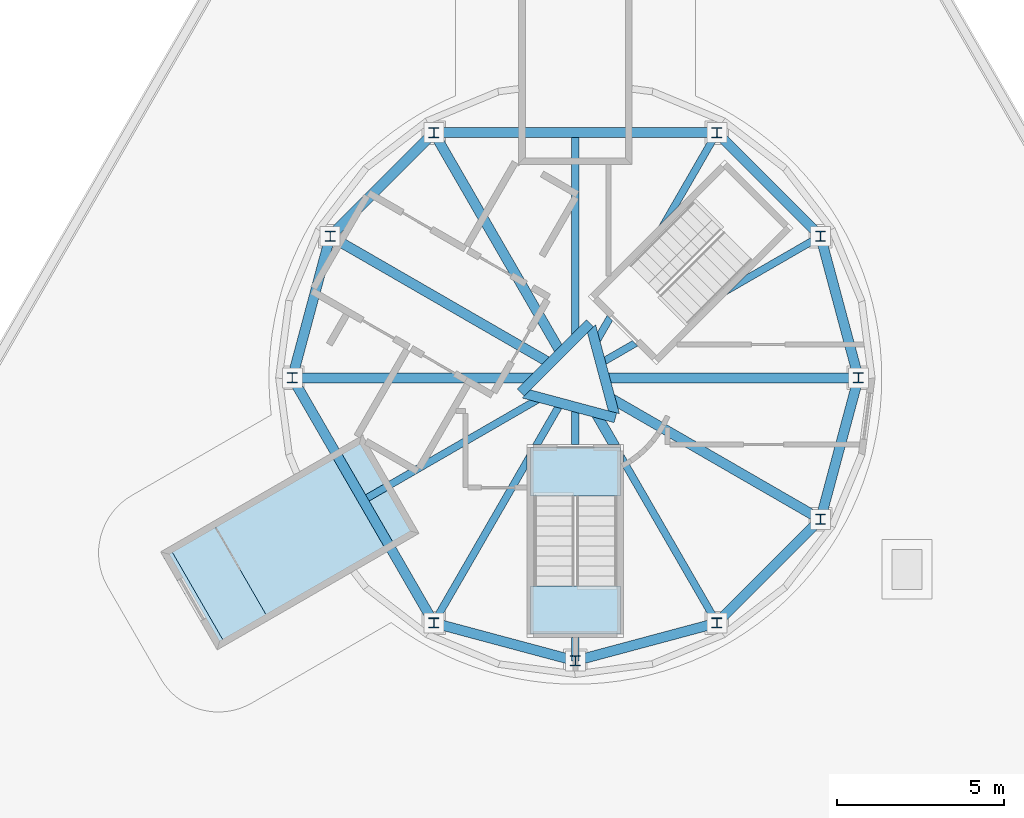
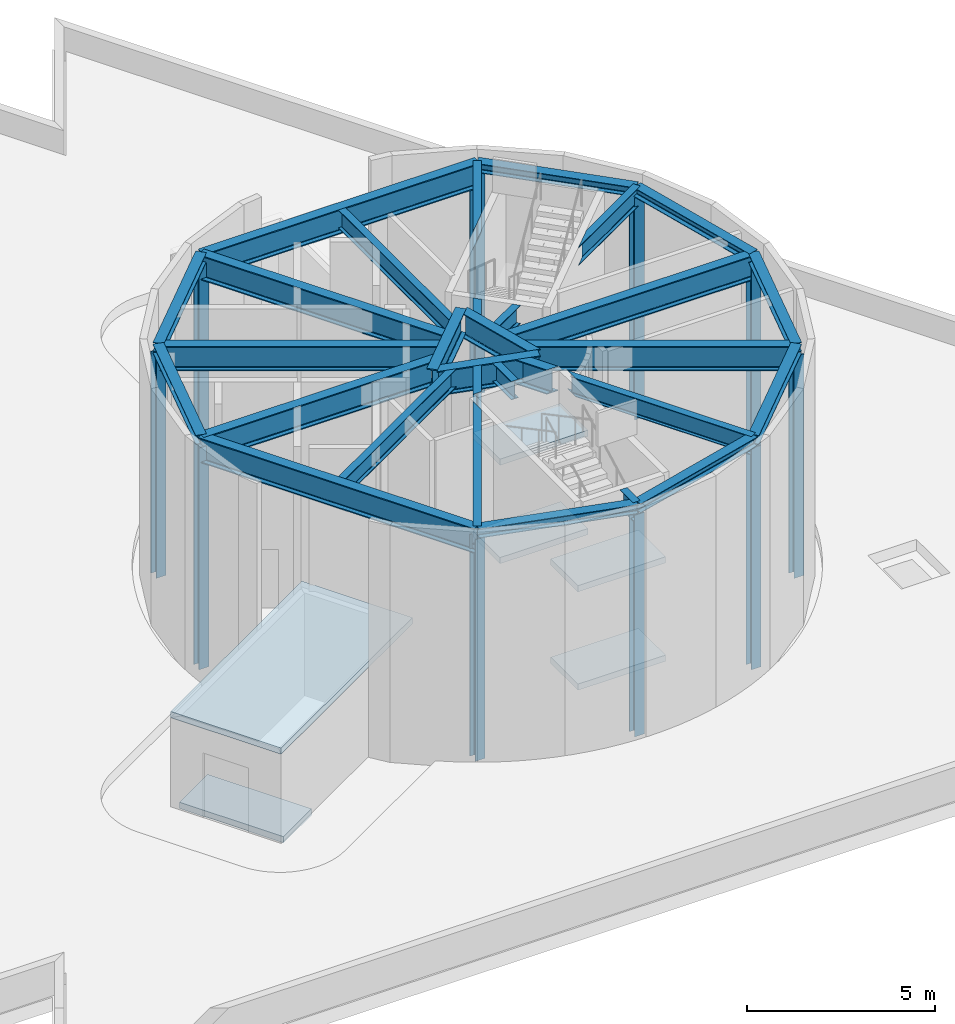
# One storey, part 1 of 7: 30 beams, 10 columns, 6 slabs, 1 element without a shape of its own.
"""IFC4 building model written with IfcOpenShell, lengths in metres."""

from ifc_helpers import new_model, si_unit, direction, frame, origin, origin_2d, place, context, subcontext, project, spatial, polyline, i_section, outline, extrude, clip, halfspace, material, layer, layer_set, material_profile, profile_set, type_object, element, aggregate, save


model = new_model("IFC4")

# Units and contexts
model_context = context("Model", 3, precision=1e-05, world=origin(), true_north=direction((0.0, 1.0)))
body_context = subcontext(model_context, "Body", "Model", "MODEL_VIEW")
ifc_project = project(units=[si_unit("LENGTHUNIT", "METRE"), si_unit("AREAUNIT", "SQUARE_METRE"), si_unit("VOLUMEUNIT", "CUBIC_METRE"), si_unit("PLANEANGLEUNIT", "RADIAN"), si_unit("MASSUNIT", "GRAM", prefix="KILO")], contexts=[model_context])

# Site, building, storey
site_placement = place(None, origin())
site = spatial("IfcSite", under=ifc_project, at=site_placement, CompositionType="ELEMENT")
building_placement = place(site_placement, origin())
building = spatial("IfcBuilding", under=site, at=building_placement, Name="Triada Interchange Tower", CompositionType="ELEMENT")
storey_placement = place(building_placement, frame((0.0, 0.0, 327.800048828125)))
storey = spatial("IfcBuildingStorey", under=building, at=storey_placement, Name="Roof", CompositionType="ELEMENT", Elevation=327.800048828125)

# Columns
ifc_material_1 = material(Name="Steel S355", Category="steel")
ifc_material_profile_1 = material_profile(ifc_material_1, i_section(OverallWidth=0.300048828125, OverallDepth=0.300048828125, WebThickness=0.010986328125, FlangeThickness=0.01904296875, FilletRadius=0.027099609375, at=origin_2d()), Name="HEB 300")
ifc_profile_set_1 = profile_set([ifc_material_profile_1], Name="Steel S355")
column_type = type_object("IfcColumnType", Name="Crown frame column HEB 300", PredefinedType="COLUMN", material=ifc_profile_set_1)
for number, where, z_axis, x_axis, name in (
    (1, (8.5, 0.0, 0.0400390625), (0.0, 0.0, 1.0), (1.0, 0.0, 0.0), "Crown frame column 01"),
    (2, (7.361083984375, 4.25, 0.0400390625), (0.0, 0.0, 1.0), (1.0, 0.0, 0.0), "Crown frame column 02"),
    (3, (4.25, 7.361083984375, 0.0400390625), (0.0, 0.0, 1.0), (1.0, 0.0, 0.0), "Crown frame column 03"),
    (4, (-4.25, 7.361083984375, 0.0400390625), (0.0, 0.0, 1.0), (1.0, 0.0, 0.0), "Crown frame column 05"),
    (5, (-7.361083984375, 4.25, 0.0400390625), (0.0, 0.0, 1.0), (1.0, 0.0, 0.0), "Crown frame column 06"),
    (6, (-8.5, 0.0, 0.0400390625), (0.0, 0.0, 1.0), (1.0, 0.0, 0.0), "Crown frame column 07"),
    (7, (-4.25, -7.361083984375, 0.0400390625), (0.0, 0.0, 1.0), (1.0, 0.0, 0.0), "Crown frame column 09"),
    (8, (0.0, -8.5, 0.0400390625), (0.0, 0.0, 1.0), (1.0, 0.0, 0.0), "Crown frame column 10"),
    (9, (4.25, -7.361083984375, 0.0400390625), (0.0, 0.0, 1.0), (1.0, 0.0, 0.0), "Crown frame column 11"),
    (10, (7.361083984375, -4.25, 0.0400390625), (0.0, 0.0, 1.0), (1.0, 0.0, 0.0), "Crown frame column 12"),
):
    element("IfcColumn", number, at=place(storey_placement, frame(where, z_axis=z_axis, x_axis=x_axis)), inside=storey, type_object=column_type, Name=name, PredefinedType="COLUMN", context=body_context, shape_type="SweptSolid", body=[
        extrude(i_section(OverallWidth=0.300048828125, OverallDepth=0.300048828125, WebThickness=0.010986328125, FlangeThickness=0.01904296875, FilletRadius=0.027099609375, at=origin_2d()), origin(), (0.0, 0.0, 1.0), 7.2099609375),
    ])

# Beams
ifc_material_profile_2 = material_profile(ifc_material_1, i_section(OverallWidth=0.300048828125, OverallDepth=0.800048828125, WebThickness=0.017578125, FlangeThickness=0.032958984375, FilletRadius=0.030029296875, at=origin_2d()), Name="HEB 800")
ifc_profile_set_2 = profile_set([ifc_material_profile_2], Name="Steel S355")
beam_type_1 = type_object("IfcBeamType", Name="Crown deep ring beam HEB 800", PredefinedType="BEAM", material=ifc_profile_set_2)
for number, where, z_axis, x_axis, name in (
    (11, (4.25, 7.361083984375, 7.14990234375), (-1.0, 0.0, 0.0), (0.0, -1.0, 0.0), "Crown ring beam 03"),
    (12, (-8.5, 0.0, 7.14990234375), (0.500006721848, -0.866021522889, 0.0), (0.866021522889, 0.500006721848, 0.0), "Crown ring beam 07"),
):
    element("IfcBeam", number, at=place(storey_placement, frame(where, z_axis=z_axis, x_axis=x_axis)), inside=storey, type_object=beam_type_1, Name=name, PredefinedType="BEAM", context=body_context, shape_type="SweptSolid", body=[
        extrude(i_section(OverallWidth=0.300048828125, OverallDepth=0.800048828125, WebThickness=0.017578125, FlangeThickness=0.032958984375, FilletRadius=0.030029296875, at=origin_2d()), origin(), (0.0, 0.0, 1.0), 8.5),
    ])
beam_1_placement = place(storey_placement, frame((0.43994140625, 1.64208984375, 7.14990234375), z_axis=(-0.707106781187, -0.707106781187, 0.0), x_axis=(0.707106781187, -0.707106781187, 0.0)))
element("IfcBeam", 13, at=beam_1_placement, inside=storey, type_object=beam_type_1, Name="Crown hub ring beam 1", PredefinedType="BEAM", context=body_context, shape_type="SweptSolid", body=[
    extrude(i_section(OverallWidth=0.300048828125, OverallDepth=0.800048828125, WebThickness=0.017578125, FlangeThickness=0.032958984375, FilletRadius=0.030029296875, at=origin_2d()), origin(), (0.0, 0.0, 1.0), 2.9443359375),
])
beam_2_placement = place(storey_placement, frame((-2.924072265625, -0.096923828125, 7.14990234375), z_axis=(0.965959274591, -0.258694182059, 0.0), x_axis=(0.258694182059, 0.965959274591, 0.0)))
element("IfcBeam", 14, at=beam_2_placement, inside=storey, type_object=beam_type_1, Name="Crown hub ring beam 2", PredefinedType="BEAM", context=body_context, shape_type="Clipping", body=[
    clip(extrude(i_section(OverallWidth=0.300048828125, OverallDepth=0.800048828125, WebThickness=0.017578125, FlangeThickness=0.032958984375, FilletRadius=0.030029296875, at=origin_2d()), origin(), (0.0, 0.0, 1.0), 4.271484375), halfspace(frame((2.474853515625, -334.949951171875, 2.929443359375), z_axis=(0.500111943026, 0.0, -0.865960763801), x_axis=(0.0, -1.0, 0.0)), False)),
])
beam_3_placement = place(storey_placement, frame((1.544921875, -2.48388671875, 7.14990234375), z_axis=(-0.258642353504, 0.96597315334, 0.0), x_axis=(-0.96597315334, -0.258642353504, 0.0)))
element("IfcBeam", 15, at=beam_3_placement, inside=storey, type_object=beam_type_1, Name="Crown hub ring beam 3", PredefinedType="BEAM", context=body_context, shape_type="Clipping", body=[
    clip(clip(extrude(i_section(OverallWidth=0.300048828125, OverallDepth=0.800048828125, WebThickness=0.017578125, FlangeThickness=0.032958984375, FilletRadius=0.030029296875, at=origin_2d()), origin(), (0.0, 0.0, 1.0), 5.598388671875), halfspace(frame((2.474609375, -334.949951171875, 2.9287109375), z_axis=(0.499828080381, 0.0, -0.866124638873), x_axis=(0.0, -1.0, 0.0)), False)), halfspace(frame((-0.07470703125, -334.949951171875, 4.141357421875), z_axis=(0.500158405106, 0.0, 0.865933929236), x_axis=(0.0, -1.0, 0.0)), False)),
])
ifc_material_profile_3 = material_profile(ifc_material_1, i_section(OverallWidth=0.300048828125, OverallDepth=0.800048828125, WebThickness=0.017578125, FlangeThickness=0.032958984375, FilletRadius=0.030029296875, at=origin_2d()), Name="HEB 800")
ifc_profile_set_3 = profile_set([ifc_material_profile_3], Name="Steel S355")
beam_type_2 = type_object("IfcBeamType", Name="Crown long roof beam HEB 800", PredefinedType="BEAM", material=ifc_profile_set_3)
beam_4_placement = place(storey_placement, frame((8.5, 0.0, 7.14990234375), z_axis=(-1.0, 0.0, 0.0), x_axis=(0.0, -1.0, 0.0)))
element("IfcBeam", 16, at=beam_4_placement, inside=storey, type_object=beam_type_2, Name="Crown roof beam 1A", PredefinedType="BEAM", context=body_context, shape_type="Clipping", body=[
    clip(extrude(i_section(OverallWidth=0.300048828125, OverallDepth=0.800048828125, WebThickness=0.017578125, FlangeThickness=0.032958984375, FilletRadius=0.030029296875, at=origin_2d()), origin(), (0.0, 0.0, 1.0), 8.965087890625), halfspace(frame((-1.931884765625, -334.949951171875, 7.98193359375), z_axis=(0.258803991908, 0.0, 0.965929859655), x_axis=(0.0, -1.0, 0.0)), False)),
])
beam_5_placement = place(storey_placement, frame((0.0859375, 0.0, 7.14990234375), z_axis=(-1.0, 0.0, 0.0), x_axis=(0.0, -1.0, 0.0)))
element("IfcBeam", 17, at=beam_5_placement, inside=storey, type_object=beam_type_2, Name="Crown roof beam 1B", PredefinedType="BEAM", context=body_context, shape_type="Clipping", body=[
    clip(extrude(i_section(OverallWidth=0.300048828125, OverallDepth=0.800048828125, WebThickness=0.017578125, FlangeThickness=0.032958984375, FilletRadius=0.030029296875, at=origin_2d()), origin(), (0.0, 0.0, 1.0), 8.5859375), halfspace(frame((0.51806640625, -334.949951171875, 2.017822265625), z_axis=(0.707106781187, 0.0, -0.707106781187), x_axis=(0.0, -1.0, 0.0)), False)),
])
beam_6_placement = place(storey_placement, frame((-4.25, 7.361083984375, 7.14990234375), z_axis=(0.499940905005, -0.866059519608, 0.0), x_axis=(0.866059519608, 0.499940905005, 0.0)))
element("IfcBeam", 18, at=beam_6_placement, inside=storey, type_object=beam_type_2, Name="Crown roof beam 5A", PredefinedType="BEAM", context=body_context, shape_type="Clipping", body=[
    clip(extrude(i_section(OverallWidth=0.300048828125, OverallDepth=0.800048828125, WebThickness=0.017578125, FlangeThickness=0.032958984375, FilletRadius=0.030029296875, at=origin_2d()), origin(), (0.0, 0.0, 1.0), 8.96484375), halfspace(frame((-1.931396484375, -334.949951171875, 7.982666015625), z_axis=(0.258884955104, 0.0, 0.965908163347), x_axis=(0.0, -1.0, 0.0)), False)),
])
beam_7_placement = place(storey_placement, frame((-0.04296875, 0.073974609375, 7.14990234375), z_axis=(0.500109464173, -0.86596219539, 0.0), x_axis=(0.86596219539, 0.500109464173, 0.0)))
element("IfcBeam", 19, at=beam_7_placement, inside=storey, type_object=beam_type_2, Name="Crown roof beam 5B", PredefinedType="BEAM", context=body_context, shape_type="Clipping", body=[
    clip(clip(extrude(i_section(OverallWidth=0.300048828125, OverallDepth=0.800048828125, WebThickness=0.017578125, FlangeThickness=0.032958984375, FilletRadius=0.030029296875, at=origin_2d()), origin(), (0.0, 0.0, 1.0), 3.895263671875), halfspace(frame((0.517578125, -334.949951171875, 2.017333984375), z_axis=(0.707185137549, 0.0, -0.707028416141), x_axis=(0.0, -1.0, 0.0)), False)), halfspace(frame((0.255615234375, -334.949951171875, 2.542724609375), z_axis=(-0.500109464173, 0.0, 0.86596219539), x_axis=(0.0, 1.0, 0.0)), False)),
])
beam_8_placement = place(storey_placement, frame((-7.361083984375, 4.25, 7.14990234375), z_axis=(0.866059519608, -0.499940905005, 0.0), x_axis=(0.499940905005, 0.866059519608, 0.0)))
element("IfcBeam", 20, at=beam_8_placement, inside=storey, type_object=beam_type_2, Name="Crown roof beam 6A", PredefinedType="BEAM", context=body_context, shape_type="Clipping", body=[
    clip(extrude(i_section(OverallWidth=0.300048828125, OverallDepth=0.800048828125, WebThickness=0.017578125, FlangeThickness=0.032958984375, FilletRadius=0.030029296875, at=origin_2d()), origin(), (0.0, 0.0, 1.0), 8.96484375), halfspace(frame((-1.4150390625, -334.949951171875, 7.085693359375), z_axis=(-0.258884955104, 0.0, 0.965908163347), x_axis=(0.0, 1.0, 0.0)), False)),
])
beam_9_placement = place(storey_placement, frame((-0.073974609375, 0.04296875, 7.14990234375), z_axis=(0.866008473551, -0.500029322878, 0.0), x_axis=(0.500029322878, 0.866008473551, 0.0)))
element("IfcBeam", 21, at=beam_9_placement, inside=storey, type_object=beam_type_2, Name="Crown roof beam 6B", PredefinedType="BEAM", context=body_context, shape_type="Clipping", body=[
    clip(extrude(i_section(OverallWidth=0.300048828125, OverallDepth=0.800048828125, WebThickness=0.017578125, FlangeThickness=0.032958984375, FilletRadius=0.030029296875, at=origin_2d()), origin(), (0.0, 0.0, 1.0), 8.58544921875), halfspace(frame((1.931884765625, -334.949951171875, -0.431884765625), z_axis=(-0.707119703651, 0.0, -0.707093858485), x_axis=(0.0, 1.0, 0.0)), False)),
])
ifc_material_profile_4 = material_profile(ifc_material_1, i_section(OverallWidth=0.300048828125, OverallDepth=0.300048828125, WebThickness=0.010986328125, FlangeThickness=0.01904296875, FilletRadius=0.027099609375, at=origin_2d()), Name="HEB 300")
ifc_profile_set_4 = profile_set([ifc_material_profile_4], Name="Steel S355")
beam_type_3 = type_object("IfcBeamType", Name="Crown ring beam HEB 300", PredefinedType="BEAM", material=ifc_profile_set_4)
beam_10_placement = place(storey_placement, frame((8.5, 0.0, 7.39990234375), z_axis=(-0.258847024572, 0.965918328778, 0.0), x_axis=(-0.965918328778, -0.258847024572, 0.0)))
element("IfcBeam", 22, at=beam_10_placement, inside=storey, type_object=beam_type_3, Name="Crown ring beam 01", PredefinedType="BEAM", context=body_context, shape_type="SweptSolid", body=[
    extrude(i_section(OverallWidth=0.300048828125, OverallDepth=0.300048828125, WebThickness=0.010986328125, FlangeThickness=0.01904296875, FilletRadius=0.027099609375, at=origin_2d()), origin(), (0.0, 0.0, 1.0), 4.39990234375),
])
for number, where, z_axis, x_axis, name in (
    (23, (7.361083984375, 4.25, 7.39990234375), (-0.707106781187, 0.707106781187, 0.0), (-0.707106781187, -0.707106781187, 0.0), "Crown ring beam 02"),
    (24, (-4.25, 7.361083984375, 7.39990234375), (-0.707106781187, -0.707106781187, 0.0), (0.707106781187, -0.707106781187, 0.0), "Crown ring beam 05"),
):
    element("IfcBeam", number, at=place(storey_placement, frame(where, z_axis=z_axis, x_axis=x_axis)), inside=storey, type_object=beam_type_3, Name=name, PredefinedType="BEAM", context=body_context, shape_type="SweptSolid", body=[
        extrude(i_section(OverallWidth=0.300048828125, OverallDepth=0.300048828125, WebThickness=0.010986328125, FlangeThickness=0.01904296875, FilletRadius=0.027099609375, at=origin_2d()), origin(), (0.0, 0.0, 1.0), 4.399658203125),
    ])
for number, where, z_axis, x_axis, name in (
    (25, (-7.361083984375, 4.25, 7.39990234375), (-0.258847024572, -0.965918328778, 0.0), (0.965918328778, -0.258847024572, 0.0), "Crown ring beam 06"),
    (26, (-4.25, -7.361083984375, 7.39990234375), (0.965918328778, -0.258847024572, 0.0), (0.258847024572, 0.965918328778, 0.0), "Crown ring beam 09"),
    (27, (0.0, -8.5, 7.39990234375), (0.965918328778, 0.258847024572, 0.0), (-0.258847024572, 0.965918328778, 0.0), "Crown ring beam 10"),
):
    element("IfcBeam", number, at=place(storey_placement, frame(where, z_axis=z_axis, x_axis=x_axis)), inside=storey, type_object=beam_type_3, Name=name, PredefinedType="BEAM", context=body_context, shape_type="SweptSolid", body=[
        extrude(i_section(OverallWidth=0.300048828125, OverallDepth=0.300048828125, WebThickness=0.010986328125, FlangeThickness=0.01904296875, FilletRadius=0.027099609375, at=origin_2d()), origin(), (0.0, 0.0, 1.0), 4.39990234375),
    ])
beam_11_placement = place(storey_placement, frame((4.25, -7.361083984375, 7.39990234375), z_axis=(0.707106781187, 0.707106781187, 0.0), x_axis=(-0.707106781187, 0.707106781187, 0.0)))
element("IfcBeam", 28, at=beam_11_placement, inside=storey, type_object=beam_type_3, Name="Crown ring beam 11", PredefinedType="BEAM", context=body_context, shape_type="SweptSolid", body=[
    extrude(i_section(OverallWidth=0.300048828125, OverallDepth=0.300048828125, WebThickness=0.010986328125, FlangeThickness=0.01904296875, FilletRadius=0.027099609375, at=origin_2d()), origin(), (0.0, 0.0, 1.0), 4.399658203125),
])
beam_12_placement = place(storey_placement, frame((7.361083984375, -4.25, 7.39990234375), z_axis=(0.258847024572, 0.965918328778, 0.0), x_axis=(-0.965918328778, 0.258847024572, 0.0)))
element("IfcBeam", 29, at=beam_12_placement, inside=storey, type_object=beam_type_3, Name="Crown ring beam 12", PredefinedType="BEAM", context=body_context, shape_type="SweptSolid", body=[
    extrude(i_section(OverallWidth=0.300048828125, OverallDepth=0.300048828125, WebThickness=0.010986328125, FlangeThickness=0.01904296875, FilletRadius=0.027099609375, at=origin_2d()), origin(), (0.0, 0.0, 1.0), 4.39990234375),
])
ifc_material_profile_5 = material_profile(ifc_material_1, i_section(OverallWidth=0.219970703125, OverallDepth=0.60009765625, WebThickness=0.011962890625, FlangeThickness=0.01904296875, FilletRadius=0.02392578125, at=origin_2d()), Name="IPE 600")
ifc_profile_set_5 = profile_set([ifc_material_profile_5], Name="Steel S355")
beam_type_4 = type_object("IfcBeamType", Name="Crown roof beam IPE 600", PredefinedType="BEAM", material=ifc_profile_set_5)
beam_13_placement = place(storey_placement, frame((7.361083984375, 4.25, 7.25), z_axis=(-0.866030215664, -0.499991665488, 0.0), x_axis=(0.499991665488, -0.866030215664, 0.0)))
element("IfcBeam", 30, at=beam_13_placement, inside=storey, type_object=beam_type_4, Name="Crown roof beam 2A", PredefinedType="BEAM", context=body_context, shape_type="Clipping", body=[
    clip(extrude(i_section(OverallWidth=0.219970703125, OverallDepth=0.60009765625, WebThickness=0.011962890625, FlangeThickness=0.01904296875, FilletRadius=0.02392578125, at=origin_2d()), origin(), (0.0, 0.0, 1.0), 4.39599609375), halfspace(frame((0.88330078125, -335.050048828125, 6.1923828125), z_axis=(-0.965923335412, 0.0, 0.258828341005), x_axis=(0.0, 1.0, 0.0)), False)),
])
beam_14_placement = place(storey_placement, frame((3.093017578125, 1.784912109375, 7.25), z_axis=(-0.866034478908, -0.499984281096, 0.0), x_axis=(0.499984281096, -0.866034478908, 0.0)))
element("IfcBeam", 31, at=beam_14_placement, inside=storey, type_object=beam_type_4, Name="Crown roof beam 2B", PredefinedType="BEAM", context=body_context, shape_type="Clipping", body=[
    clip(clip(extrude(i_section(OverallWidth=0.219970703125, OverallDepth=0.60009765625, WebThickness=0.011962890625, FlangeThickness=0.01904296875, FilletRadius=0.02392578125, at=origin_2d()), origin(), (0.0, 0.0, 1.0), 4.035888671875), halfspace(frame((-1.919189453125, -335.050048828125, 2.014404296875), z_axis=(-0.258836577127, 0.0, -0.965921128427), x_axis=(0.0, 1.0, 0.0)), False)), halfspace(frame((-1.414794921875, -335.050048828125, 2.156494140625), z_axis=(-0.258816566198, 0.0, 0.965926490506), x_axis=(0.0, 1.0, 0.0)), False)),
])
beam_15_placement = place(storey_placement, frame((0.074951171875, 0.04296875, 7.25), z_axis=(-0.866023468716, -0.500003351622, 0.0), x_axis=(0.500003351622, -0.866023468716, 0.0)))
element("IfcBeam", 32, at=beam_15_placement, inside=storey, type_object=beam_type_4, Name="Crown roof beam 2C", PredefinedType="BEAM", context=body_context, shape_type="Clipping", body=[
    clip(extrude(i_section(OverallWidth=0.219970703125, OverallDepth=0.60009765625, WebThickness=0.011962890625, FlangeThickness=0.01904296875, FilletRadius=0.02392578125, at=origin_2d()), origin(), (0.0, 0.0, 1.0), 7.2978515625), halfspace(frame((1.931396484375, -335.050048828125, -0.43115234375), z_axis=(-0.707115064228, 0.0, -0.707098498048), x_axis=(0.0, 1.0, 0.0)), False)),
])
beam_16_placement = place(storey_placement, frame((4.25, 7.361083984375, 7.25), z_axis=(-0.499991665488, -0.866030215664, 0.0), x_axis=(0.866030215664, -0.499991665488, 0.0)))
element("IfcBeam", 33, at=beam_16_placement, inside=storey, type_object=beam_type_4, Name="Crown roof beam 3A", PredefinedType="BEAM", context=body_context, shape_type="Clipping", body=[
    clip(extrude(i_section(OverallWidth=0.219970703125, OverallDepth=0.60009765625, WebThickness=0.011962890625, FlangeThickness=0.01904296875, FilletRadius=0.02392578125, at=origin_2d()), origin(), (0.0, 0.0, 1.0), 4.39599609375), halfspace(frame((0.617919921875, -335.050048828125, 0.59033203125), z_axis=(0.965923335412, 0.0, 0.258828341005), x_axis=(0.0, -1.0, 0.0)), False)),
])
beam_17_placement = place(storey_placement, frame((1.785888671875, 3.093017578125, 7.25), z_axis=(-0.500080723117, -0.865978793255, 0.0), x_axis=(0.865978793255, -0.500080723117, 0.0)))
element("IfcBeam", 34, at=beam_17_placement, inside=storey, type_object=beam_type_4, Name="Crown roof beam 3B", PredefinedType="BEAM", context=body_context, shape_type="Clipping", body=[
    clip(clip(extrude(i_section(OverallWidth=0.219970703125, OverallDepth=0.60009765625, WebThickness=0.011962890625, FlangeThickness=0.01904296875, FilletRadius=0.02392578125, at=origin_2d()), origin(), (0.0, 0.0, 1.0), 3.6572265625), halfspace(frame((-0.883056640625, -335.050048828125, 1.26416015625), z_axis=(0.258729006618, 0.0, -0.965949947531), x_axis=(0.0, -1.0, 0.0)), False)), halfspace(frame((-0.517333984375, -335.050048828125, 1.6396484375), z_axis=(-0.707051886814, 0.0, 0.707161671298), x_axis=(0.0, 1.0, 0.0)), False)),
])
beam_18_placement = place(storey_placement, frame((0.23193359375, 0.402099609375, 7.25), z_axis=(-0.50001584866, -0.866016253363, 0.0), x_axis=(0.866016253363, -0.50001584866, 0.0)))
element("IfcBeam", 35, at=beam_18_placement, inside=storey, type_object=beam_type_4, Name="Crown roof beam 3C", PredefinedType="BEAM", context=body_context, shape_type="Clipping", body=[
    clip(clip(extrude(i_section(OverallWidth=0.219970703125, OverallDepth=0.60009765625, WebThickness=0.011962890625, FlangeThickness=0.01904296875, FilletRadius=0.02392578125, at=origin_2d()), origin(), (0.0, 0.0, 1.0), 4.273681640625), halfspace(frame((1.931884765625, -335.050048828125, 0.981689453125), z_axis=(-0.258851775094, 0.0, -0.96591705572), x_axis=(0.0, 1.0, 0.0)), False)), halfspace(frame((2.255859375, -335.050048828125, 1.47119140625), z_axis=(0.50001584866, 0.0, 0.866016253363), x_axis=(0.0, -1.0, 0.0)), False)),
])
beam_19_placement = place(storey_placement, frame((-0.699951171875, -1.2119140625, 7.25), z_axis=(-0.499981400667, -0.866036141848, 0.0), x_axis=(0.866036141848, -0.499981400667, 0.0)))
element("IfcBeam", 36, at=beam_19_placement, inside=storey, type_object=beam_type_4, Name="Crown roof beam 3D", PredefinedType="BEAM", context=body_context, shape_type="Clipping", body=[
    clip(extrude(i_section(OverallWidth=0.219970703125, OverallDepth=0.60009765625, WebThickness=0.011962890625, FlangeThickness=0.01904296875, FilletRadius=0.02392578125, at=origin_2d()), origin(), (0.0, 0.0, 1.0), 7.100341796875), halfspace(frame((-0.255615234375, -335.050048828125, 1.0576171875), z_axis=(0.866036141848, 0.0, -0.499981400667), x_axis=(0.0, -1.0, 0.0)), False)),
])
beam_20_placement = place(storey_placement, frame((0.0, 7.2109375, 7.25), z_axis=(0.0, -1.0, 0.0), x_axis=(1.0, 0.0, 0.0)))
element("IfcBeam", 37, at=beam_20_placement, inside=storey, type_object=beam_type_4, Name="Crown roof beam 4A", PredefinedType="BEAM", context=body_context, shape_type="Clipping", body=[
    clip(extrude(i_section(OverallWidth=0.219970703125, OverallDepth=0.60009765625, WebThickness=0.011962890625, FlangeThickness=0.01904296875, FilletRadius=0.02392578125, at=origin_2d()), origin(), (0.0, 0.0, 1.0), 7.296875), halfspace(frame((-1.931884765625, -335.050048828125, 7.72900390625), z_axis=(0.707106781187, 0.0, 0.707106781187), x_axis=(0.0, -1.0, 0.0)), False)),
])
beam_21_placement = place(storey_placement, frame((0.0, 0.465087890625, 7.25), z_axis=(0.0, -1.0, 0.0), x_axis=(1.0, 0.0, 0.0)))
element("IfcBeam", 38, at=beam_21_placement, inside=storey, type_object=beam_type_4, Name="Crown roof beam 4B", PredefinedType="BEAM", context=body_context, shape_type="Clipping", body=[
    clip(clip(extrude(i_section(OverallWidth=0.219970703125, OverallDepth=0.60009765625, WebThickness=0.011962890625, FlangeThickness=0.01904296875, FilletRadius=0.02392578125, at=origin_2d()), origin(), (0.0, 0.0, 1.0), 3.965087890625), halfspace(frame((1.4140625, -335.050048828125, 1.879150390625), z_axis=(0.258803991908, 0.0, -0.965929859655), x_axis=(0.0, -1.0, 0.0)), False)), halfspace(frame((1.449951171875, -335.050048828125, 2.465087890625), z_axis=(0.0, 0.0, 1.0), x_axis=(1.0, 0.0, 0.0)), False)),
])
beam_22_placement = place(storey_placement, frame((0.0, -6.300048828125, 7.25), z_axis=(0.0, -1.0, 0.0), x_axis=(1.0, 0.0, 0.0)))
element("IfcBeam", 39, at=beam_22_placement, inside=storey, type_object=beam_type_4, Name="Crown roof beam 4C", PredefinedType="BEAM", context=body_context, shape_type="Clipping", body=[
    clip(extrude(i_section(OverallWidth=0.219970703125, OverallDepth=0.60009765625, WebThickness=0.011962890625, FlangeThickness=0.01904296875, FilletRadius=0.02392578125, at=origin_2d()), origin(), (0.0, 0.0, 1.0), 2.199951171875), halfspace(frame((-1.449951171875, -335.050048828125, 1.5), z_axis=(0.0, 0.0, -1.0), x_axis=(1.0, 0.0, 0.0)), False)),
])
beam_23_placement = place(storey_placement, frame((0.699951171875, -1.2119140625, 7.25), z_axis=(0.499981400667, -0.866036141848, 0.0), x_axis=(0.866036141848, 0.499981400667, 0.0)))
element("IfcBeam", 40, at=beam_23_placement, inside=storey, type_object=beam_type_4, Name="Crown roof beam 5C", PredefinedType="BEAM", context=body_context, shape_type="Clipping", body=[
    clip(extrude(i_section(OverallWidth=0.219970703125, OverallDepth=0.60009765625, WebThickness=0.011962890625, FlangeThickness=0.01904296875, FilletRadius=0.02392578125, at=origin_2d()), origin(), (0.0, 0.0, 1.0), 7.100341796875), halfspace(frame((-2.64453125, -335.050048828125, 6.08056640625), z_axis=(-0.866036141848, 0.0, -0.499981400667), x_axis=(0.0, 1.0, 0.0)), False)),
])

# Slabs
ifc_material_2 = material(Name="Concrete C50/60", Category="concrete")
ifc_layer_1 = layer(ifc_material_2, 0.199951171875)
ifc_layer_set_1 = layer_set([ifc_layer_1], Name="Head-house roof slab 200")
slab_type_1 = type_object("IfcSlabType", Name="Head-house roof slab 200", PredefinedType="ROOF", material=ifc_layer_set_1)
slab_1_placement = place(storey_placement, frame((0.0, 0.0, 2.89990234375)))
element("IfcSlab", 41, at=slab_1_placement, inside=storey, type_object=slab_type_1, Name="Head-house roof slab 2", PredefinedType="ROOF", context=body_context, shape_type="SweptSolid", body=[
    extrude(outline(polyline([(-4.693115234375, -4.672119140625), (-10.7548828125, -8.172119140625), (-12.455078125, -5.22802734375), (-6.39306640625, -1.72802734375), (-4.693115234375, -4.672119140625)])), origin(), (0.0, 0.0, 1.0), 0.199951171875),
])
ifc_material_3 = material(Name="Concrete C35/45", Category="concrete")
ifc_layer_2 = layer(ifc_material_3, 0.199951171875)
ifc_layer_set_2 = layer_set([ifc_layer_2], Name="STAIR LANDING 200")
slab_type_2 = type_object("IfcSlabType", Name="STAIR LANDING 200", PredefinedType="LANDING", material=ifc_layer_set_2)
slab_2_placement = place(storey_placement, frame((0.0, 0.0, -0.199951171875)))
element("IfcSlab", 42, at=slab_2_placement, inside=storey, type_object=slab_type_2, Name="Head-house landing 2", PredefinedType="LANDING", context=body_context, shape_type="SweptSolid", body=[
    extrude(outline(polyline([(-10.845947265625, -4.4140625), (-12.14501953125, -5.1640625), (-10.544921875, -7.93603515625), (-9.24609375, -7.18603515625), (-10.845947265625, -4.4140625)])), origin(), (0.0, 0.0, 1.0), 0.199951171875),
])

# Stair, slabs
stair_type = type_object("IfcStairType", Name="HALF TURN STAIR 1200", PredefinedType="HALF_TURN_STAIR", material=ifc_material_3)
stair_placement = place(storey_placement, origin())
stair = element("IfcStair", 43, at=stair_placement, inside=storey, type_object=stair_type, Name="Roof access stair RS2", PredefinedType="HALF_TURN_STAIR")
slab_3_placement = place(storey_placement, frame((0.0, 0.0, 1.39990234375)))
slab_3 = element("IfcSlab", 44, at=slab_3_placement, type_object=slab_type_2, Name="Roof access stair RS2 landing 1", PredefinedType="LANDING", context=body_context, shape_type="SweptSolid", body=[
    extrude(outline(polyline([(-1.35009765625, -6.25), (-1.35009765625, -7.699951171875), (1.35009765625, -7.699951171875), (1.35009765625, -6.25), (-1.35009765625, -6.25)])), origin(), (0.0, 0.0, 1.0), 0.199951171875),
])
slab_4_placement = place(storey_placement, frame((0.0, 0.0, 3.0)))
slab_4 = element("IfcSlab", 45, at=slab_4_placement, type_object=slab_type_2, Name="Roof access stair RS2 landing 2", PredefinedType="LANDING", context=body_context, shape_type="SweptSolid", body=[
    extrude(outline(polyline([(-1.35009765625, -2.10009765625), (-1.35009765625, -3.550048828125), (1.35009765625, -3.550048828125), (1.35009765625, -2.10009765625), (-1.35009765625, -2.10009765625)])), origin(), (0.0, 0.0, 1.0), 0.199951171875),
])
slab_5_placement = place(storey_placement, frame((0.0, 0.0, 4.599853515625)))
slab_5 = element("IfcSlab", 46, at=slab_5_placement, type_object=slab_type_2, Name="Roof access stair RS2 landing 3", PredefinedType="LANDING", context=body_context, shape_type="SweptSolid", body=[
    extrude(outline(polyline([(-1.35009765625, -6.25), (-1.35009765625, -7.699951171875), (1.35009765625, -7.699951171875), (1.35009765625, -6.25), (-1.35009765625, -6.25)])), origin(), (0.0, 0.0, 1.0), 0.2001953125),
])
slab_6_placement = place(storey_placement, frame((0.0, 0.0, 6.199951171875)))
slab_6 = element("IfcSlab", 47, at=slab_6_placement, type_object=slab_type_2, Name="Roof access stair RS2 landing 4", PredefinedType="LANDING", context=body_context, shape_type="SweptSolid", body=[
    extrude(outline(polyline([(-1.35009765625, -2.10009765625), (-1.35009765625, -3.550048828125), (1.35009765625, -3.550048828125), (1.35009765625, -2.10009765625), (-1.35009765625, -2.10009765625)])), origin(), (0.0, 0.0, 1.0), 0.199951171875),
])
aggregate(stair, [slab_3, slab_4, slab_5, slab_6])

save(model, "model.ifc")
